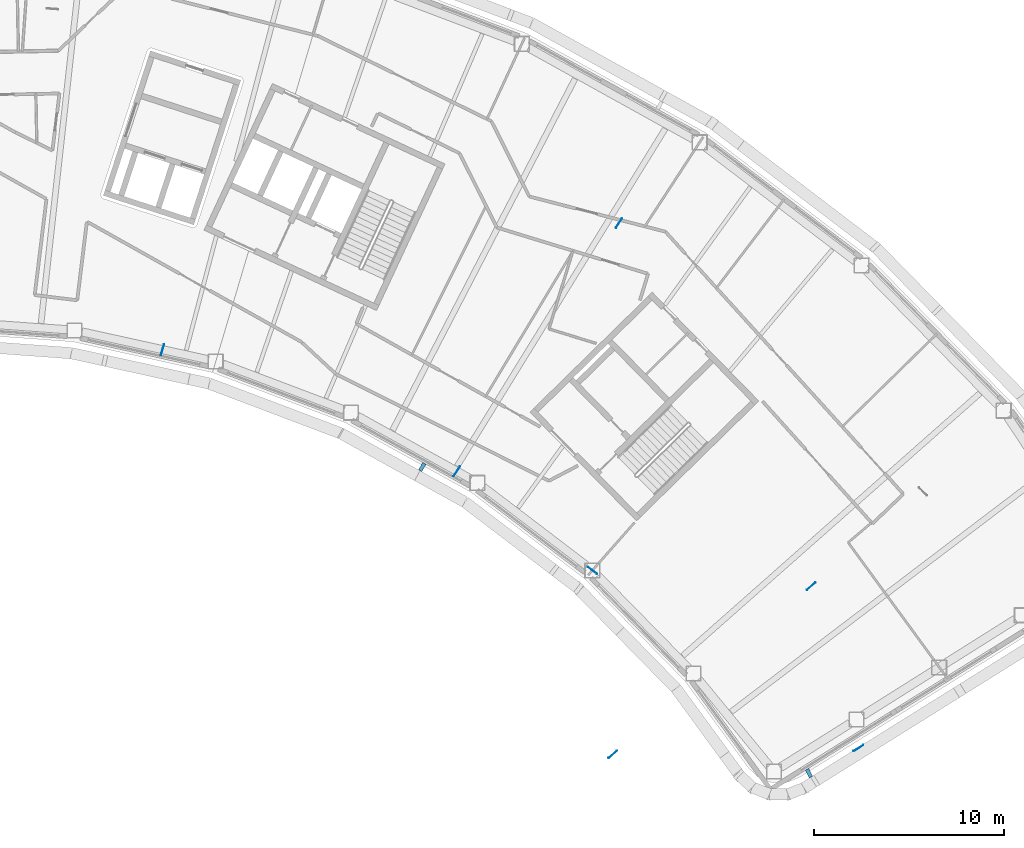
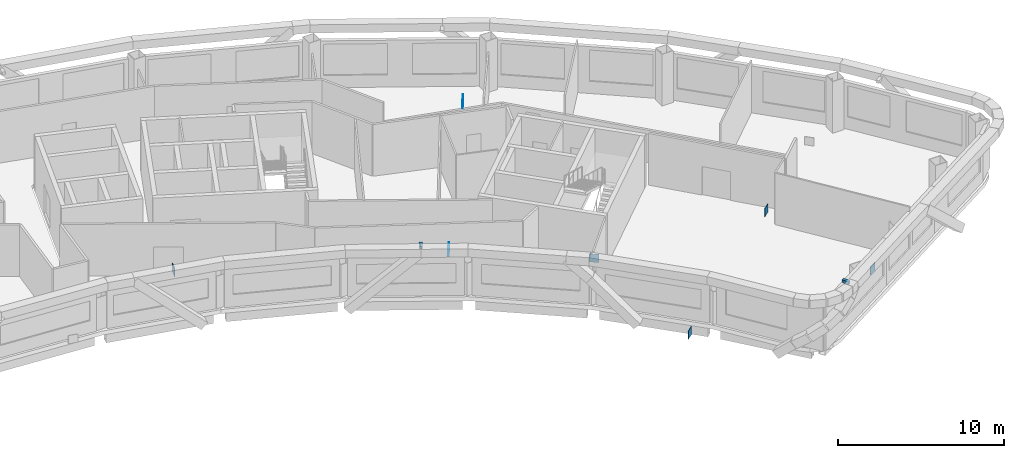
# One storey, part 15 of 21: 9 discrete accessories.
"""IFC4 building model written with IfcOpenShell, lengths in metres."""

from ifc_helpers import new_model, si_unit, direction, frame, origin, origin_2d, place, context, subcontext, project, spatial, rectangle, extrude, material, type_object, element, save


model = new_model("IFC4")

# Units and contexts
model_context = context("Model", 3, precision=1e-05, world=origin(), true_north=direction((0.0, 1.0)))
body_context = subcontext(model_context, "Body", "Model", "MODEL_VIEW")
ifc_project = project(units=[si_unit("LENGTHUNIT", "METRE"), si_unit("AREAUNIT", "SQUARE_METRE"), si_unit("VOLUMEUNIT", "CUBIC_METRE"), si_unit("PLANEANGLEUNIT", "RADIAN"), si_unit("MASSUNIT", "GRAM", prefix="KILO")], contexts=[model_context])

# Site, building, storey
site_placement = place(None, origin())
site = spatial("IfcSite", under=ifc_project, at=site_placement, CompositionType="ELEMENT")
building_placement = place(site_placement, origin())
building = spatial("IfcBuilding", under=site, at=building_placement, Name="Tuul Gate Civic Tower", CompositionType="ELEMENT")
storey_placement = place(building_placement, frame((0.0, 0.0, 273.60009765625)))
storey = spatial("IfcBuildingStorey", under=building, at=storey_placement, Name="Level 62", CompositionType="ELEMENT", Elevation=273.60009765625)

# Discrete accessories
ifc_material_1 = material(Name="Steel S355", Category="steel")
discrete_accessory_type_1 = type_object("IfcDiscreteAccessoryType", Name="Gusset plate", PredefinedType="BRACKET", material=ifc_material_1)
for number, where, z_axis, x_axis, name in (
    (1, (23.220458984375, -9.447998046875, 2.795654296875), (0.0, 0.0, 1.0), (0.285212112775, 0.958464423297, 0.0), "Gusset plate"),
    (2, (38.6767578125, -15.8310546875, 2.795654296875), (0.0, 0.0, 1.0), (0.54674333885, 0.837300257627, 0.0), "Gusset plate"),
    (3, (57.29248046875, -21.857666015625, 2.796142578125), (0.0, 0.0, 1.0), (0.76282474496, 0.646605295738, 0.0), "Gusset plate"),
    (4, (46.869140625, -30.6953125, 2.796142578125), (0.0, 0.0, 1.0), (0.76282474496, 0.646605295738, 0.0), "Gusset plate"),
    (5, (47.193603515625, -2.79052734375, 2.796630859375), (0.0, 0.0, 1.0), (-0.54674333885, -0.837300257627, 0.0), "Gusset plate"),
    (6, (45.798095703125, -21.02880859375, 2.796142578125), (0.0, 0.0, 1.0), (-0.795664473939, 0.60573760401, 0.0), "Gusset plate"),
    (7, (59.77392578125, -30.365966796875, 2.795654296875), (0.0, 0.0, 1.0), (0.846187288195, 0.532885609956, 0.0), "Gusset plate"),
):
    element("IfcDiscreteAccessory", number, at=place(storey_placement, frame(where, z_axis=z_axis, x_axis=x_axis)), inside=storey, type_object=discrete_accessory_type_1, Name=name, PredefinedType="BRACKET", context=body_context, shape_type="SweptSolid", body=[
        extrude(rectangle(XDim=0.60009765625, YDim=0.030029296875, at=origin_2d()), origin(), (0.0, 0.0, 1.0), 0.60009765625),
    ])
ifc_material_2 = material(Name="Stainless steel", Category="steel")
discrete_accessory_type_2 = type_object("IfcDiscreteAccessoryType", Name="Screen bracket", PredefinedType="BRACKET", material=ifc_material_2)
discrete_accessory_1_placement = place(storey_placement, frame((36.866943359375, -15.599609375, 3.75), z_axis=(0.0, 0.0, 1.0), x_axis=(-0.499371084486, -0.866388203971, 0.0)))
element("IfcDiscreteAccessory", 8, at=discrete_accessory_1_placement, inside=storey, type_object=discrete_accessory_type_2, Name="Screen bracket 29", PredefinedType="BRACKET", context=body_context, shape_type="SweptSolid", body=[
    extrude(rectangle(XDim=0.4501953125, YDim=0.199951171875, at=origin_2d()), origin(), (0.0, 0.0, 1.0), 0.199951171875),
])
discrete_accessory_2_placement = place(storey_placement, frame((57.17724609375, -31.677978515625, 3.75), z_axis=(0.0, 0.0, 1.0), x_axis=(0.453861421697, -0.89107228096, 0.0)))
element("IfcDiscreteAccessory", 9, at=discrete_accessory_2_placement, inside=storey, type_object=discrete_accessory_type_2, Name="Screen bracket 32", PredefinedType="BRACKET", context=body_context, shape_type="SweptSolid", body=[
    extrude(rectangle(XDim=0.45166015625, YDim=0.199951171875, at=origin_2d()), origin(), (0.0, 0.0, 1.0), 0.199951171875),
])

save(model, "model.ifc")
